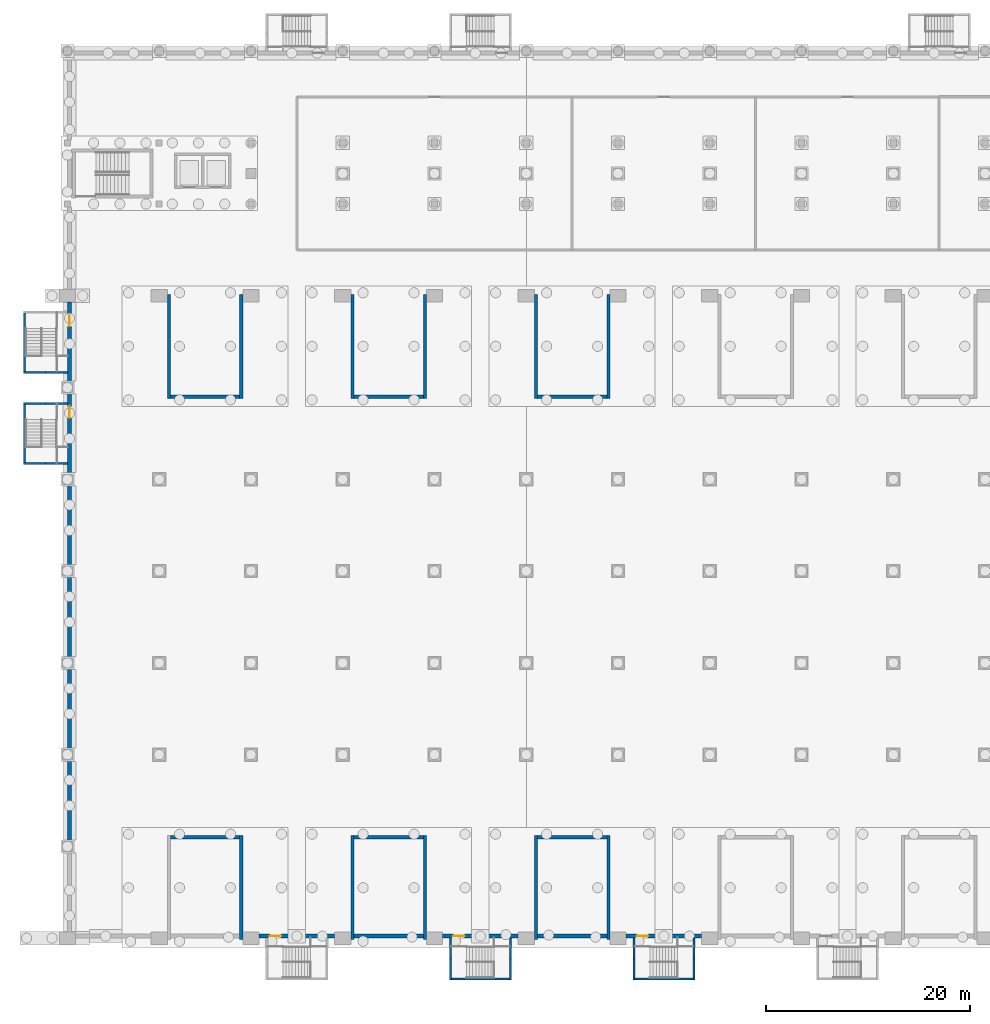
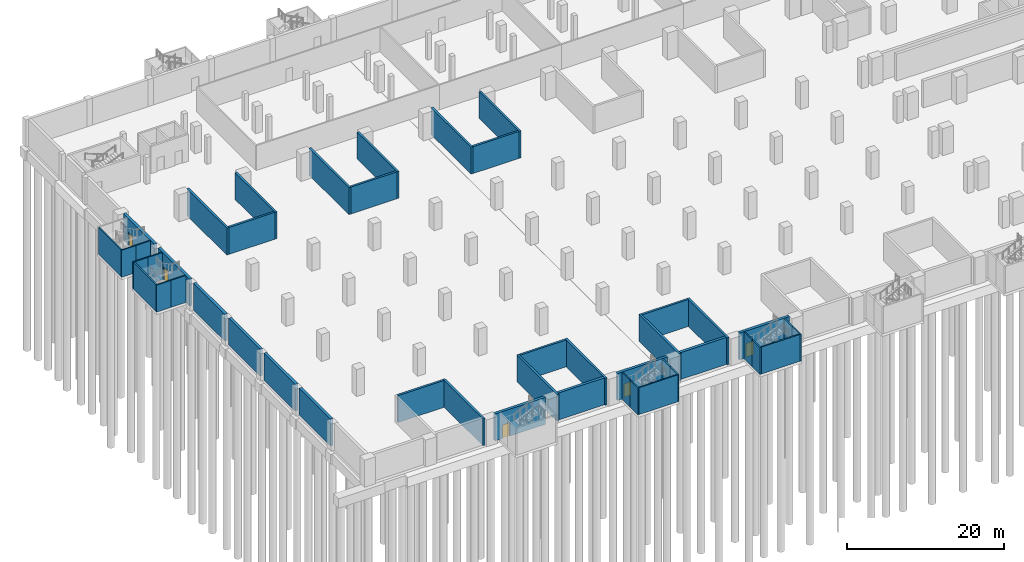
# One storey, part 10 of 29: 46 walls, 5 doors, 5 openings.
"""IFC4 building model written with IfcOpenShell, lengths in metres."""

from ifc_helpers import new_model, si_unit, direction, frame, frame_2d, origin, place, context, subcontext, project, spatial, rectangle, extrude, material, layer, layer_set, type_object, element, fill, save


model = new_model("IFC4")

# Units and contexts
model_context = context("Model", 3, precision=1e-05, world=origin(), true_north=direction((0.0, 1.0)))
body_context = subcontext(model_context, "Body", "Model", "MODEL_VIEW")
ifc_project = project(units=[si_unit("LENGTHUNIT", "METRE"), si_unit("AREAUNIT", "SQUARE_METRE"), si_unit("VOLUMEUNIT", "CUBIC_METRE"), si_unit("PLANEANGLEUNIT", "RADIAN"), si_unit("MASSUNIT", "GRAM", prefix="KILO")], contexts=[model_context])

# Site, building, storey
site_placement = place(None, origin())
site = spatial("IfcSite", under=ifc_project, at=site_placement, CompositionType="ELEMENT")
building_placement = place(site_placement, origin())
building = spatial("IfcBuilding", under=site, at=building_placement, Name="Aravalli Gate Trade Fair Centre", CompositionType="ELEMENT")
storey_placement = place(building_placement, frame((0.0, 0.0, -8.39990234375)))
storey = spatial("IfcBuildingStorey", under=building, at=storey_placement, Name="B2", CompositionType="ELEMENT", Elevation=-8.39990234375)

# Wall, opening, door
ifc_material_1 = material(Name="Concrete M40", Category="concrete")
ifc_layer_1 = layer(ifc_material_1, 0.39990234375)
ifc_layer_set_1 = layer_set([ifc_layer_1], Name="Concrete M40")
wall_type_1 = type_object("IfcWallType", Name="Basement retaining wall 400", PredefinedType="SOLIDWALL", material=ifc_layer_set_1)
wall_1_placement = place(storey_placement, frame((24.800048828125, 46.199951171875, 0.0), z_axis=(0.0, 0.0, 1.0), x_axis=(1.0, 0.0, 0.0)))
wall_1 = element("IfcWall", 1, at=wall_1_placement, inside=storey, type_object=wall_type_1, Name="Retaining wall S03 B2", PredefinedType="SOLIDWALL", context=body_context, shape_type="SweptSolid", body=[
    extrude(rectangle(XDim=7.39990234375, YDim=0.39990234375, at=frame_2d((3.699951171875, 0.0))), origin(), (0.0, 0.0, 1.0), 4.199951171875),
])
opening_1_placement = place(wall_1_placement, frame((1.050048828125, 0.0, 0.0)))
opening_1 = element("IfcOpeningElement", 2, at=opening_1_placement, cuts=wall_1, Name="Opening B-B2-07", PredefinedType="OPENING", context=body_context, shape_type="SweptSolid", body=[
    extrude(rectangle(XDim=1.10009765625, YDim=2.10009765625, at=frame_2d((0.550048828125, 1.050048828125))), frame((0.0, 0.2099609375, 0.0), z_axis=(0.0, -1.0, 0.0), x_axis=(1.0, 0.0, 0.0)), (0.0, 0.0, 1.0), 0.419921875),
])
ifc_material_2 = material(Name="Steel", Category="steel")
door_type = type_object("IfcDoorType", Name="Basement stair door 1100x2100", OperationType="SINGLE_SWING_LEFT", PredefinedType="DOOR", material=ifc_material_2)
door_1_placement = place(opening_1_placement, frame((1.10009765625, 0.0, 0.0), z_axis=(0.0, 0.0, 1.0), x_axis=(-1.0, 0.0, 0.0)))
door_1 = element("IfcDoor", 3, at=door_1_placement, inside=storey, type_object=door_type, Name="Basement stair S1 door B2", OperationType="SINGLE_SWING_RIGHT", OverallHeight=2.10009765625, OverallWidth=1.10009765625, PredefinedType="DOOR", context=body_context, shape_type="SweptSolid", body=[
    extrude(rectangle(XDim=1.10009765625, YDim=2.10009765625, at=frame_2d((0.550048828125, 1.050048828125))), frame((0.0, 0.02490234375, 0.0), z_axis=(0.0, -1.0, 0.0), x_axis=(1.0, 0.0, 0.0)), (0.0, 0.0, 1.0), 0.050048828125),
])
fill(opening_1, door_1)

# Wall
wall_2_placement = place(storey_placement, frame((34.10009765625, 46.199951171875, 0.0), z_axis=(0.0, 0.0, 1.0), x_axis=(1.0, 0.0, 0.0)))
element("IfcWall", 4, at=wall_2_placement, inside=storey, type_object=wall_type_1, Name="Retaining wall S04 B2", PredefinedType="SOLIDWALL", context=body_context, shape_type="SweptSolid", body=[
    extrude(rectangle(XDim=6.7998046875, YDim=0.39990234375, at=frame_2d((3.39990234375, 0.0))), origin(), (0.0, 0.0, 1.0), 4.199951171875),
])

# Wall, opening, door
wall_3_placement = place(storey_placement, frame((42.800048828125, 46.199951171875, 0.0), z_axis=(0.0, 0.0, 1.0), x_axis=(1.0, 0.0, 0.0)))
wall_3 = element("IfcWall", 5, at=wall_3_placement, inside=storey, type_object=wall_type_1, Name="Retaining wall S05 B2", PredefinedType="SOLIDWALL", context=body_context, shape_type="SweptSolid", body=[
    extrude(rectangle(XDim=7.39990234375, YDim=0.39990234375, at=frame_2d((3.699951171875, 0.0))), origin(), (0.0, 0.0, 1.0), 4.199951171875),
])
opening_2_placement = place(wall_3_placement, frame((1.050048828125, 0.0, 0.0)))
opening_2 = element("IfcOpeningElement", 6, at=opening_2_placement, cuts=wall_3, Name="Opening B-B2-08", PredefinedType="OPENING", context=body_context, shape_type="SweptSolid", body=[
    extrude(rectangle(XDim=1.10009765625, YDim=2.10009765625, at=frame_2d((0.550048828125, 1.050048828125))), frame((0.0, 0.2099609375, 0.0), z_axis=(0.0, -1.0, 0.0), x_axis=(1.0, 0.0, 0.0)), (0.0, 0.0, 1.0), 0.419921875),
])
door_2_placement = place(opening_2_placement, frame((1.10009765625, 0.0, 0.0), z_axis=(0.0, 0.0, 1.0), x_axis=(-1.0, 0.0, 0.0)))
door_2 = element("IfcDoor", 7, at=door_2_placement, inside=storey, type_object=door_type, Name="Basement stair S2 door B2", OperationType="SINGLE_SWING_RIGHT", OverallHeight=2.10009765625, OverallWidth=1.10009765625, PredefinedType="DOOR", context=body_context, shape_type="SweptSolid", body=[
    extrude(rectangle(XDim=1.10009765625, YDim=2.10009765625, at=frame_2d((0.550048828125, 1.050048828125))), frame((0.0, 0.02490234375, 0.0), z_axis=(0.0, -1.0, 0.0), x_axis=(1.0, 0.0, 0.0)), (0.0, 0.0, 1.0), 0.050048828125),
])
fill(opening_2, door_2)

# Wall
wall_4_placement = place(storey_placement, frame((52.10009765625, 46.199951171875, 0.0), z_axis=(0.0, 0.0, 1.0), x_axis=(1.0, 0.0, 0.0)))
element("IfcWall", 8, at=wall_4_placement, inside=storey, type_object=wall_type_1, Name="Retaining wall S06 B2", PredefinedType="SOLIDWALL", context=body_context, shape_type="SweptSolid", body=[
    extrude(rectangle(XDim=6.7998046875, YDim=0.39990234375, at=frame_2d((3.39990234375, 0.0))), origin(), (0.0, 0.0, 1.0), 4.199951171875),
])

# Wall, opening, door
wall_5_placement = place(storey_placement, frame((60.800048828125, 46.199951171875, 0.0), z_axis=(0.0, 0.0, 1.0), x_axis=(1.0, 0.0, 0.0)))
wall_5 = element("IfcWall", 9, at=wall_5_placement, inside=storey, type_object=wall_type_1, Name="Retaining wall S07 B2", PredefinedType="SOLIDWALL", context=body_context, shape_type="SweptSolid", body=[
    extrude(rectangle(XDim=7.39990234375, YDim=0.39990234375, at=frame_2d((3.699951171875, 0.0))), origin(), (0.0, 0.0, 1.0), 4.199951171875),
])
opening_3_placement = place(wall_5_placement, frame((1.050048828125, 0.0, 0.0)))
opening_3 = element("IfcOpeningElement", 10, at=opening_3_placement, cuts=wall_5, Name="Opening B-B2-09", PredefinedType="OPENING", context=body_context, shape_type="SweptSolid", body=[
    extrude(rectangle(XDim=1.10009765625, YDim=2.10009765625, at=frame_2d((0.550048828125, 1.050048828125))), frame((0.0, 0.2099609375, 0.0), z_axis=(0.0, -1.0, 0.0), x_axis=(1.0, 0.0, 0.0)), (0.0, 0.0, 1.0), 0.419921875),
])
door_3_placement = place(opening_3_placement, frame((1.10009765625, 0.0, 0.0), z_axis=(0.0, 0.0, 1.0), x_axis=(-1.0, 0.0, 0.0)))
door_3 = element("IfcDoor", 11, at=door_3_placement, inside=storey, type_object=door_type, Name="Basement stair S3 door B2", OperationType="SINGLE_SWING_RIGHT", OverallHeight=2.10009765625, OverallWidth=1.10009765625, PredefinedType="DOOR", context=body_context, shape_type="SweptSolid", body=[
    extrude(rectangle(XDim=1.10009765625, YDim=2.10009765625, at=frame_2d((0.550048828125, 1.050048828125))), frame((0.0, 0.02490234375, 0.0), z_axis=(0.0, -1.0, 0.0), x_axis=(1.0, 0.0, 0.0)), (0.0, 0.0, 1.0), 0.050048828125),
])
fill(opening_3, door_3)

# Walls
for number, where, z_axis, x_axis, name in (
    (12, (6.199951171875, 55.5, 0.0), (0.0, 0.0, 1.0), (0.0, 1.0, 0.0), "Retaining wall W02 B2"),
    (13, (6.199951171875, 64.5, 0.0), (0.0, 0.0, 1.0), (0.0, 1.0, 0.0), "Retaining wall W03 B2"),
    (14, (6.199951171875, 73.5, 0.0), (0.0, 0.0, 1.0), (0.0, 1.0, 0.0), "Retaining wall W04 B2"),
    (15, (6.199951171875, 82.5, 0.0), (0.0, 0.0, 1.0), (0.0, 1.0, 0.0), "Retaining wall W05 B2"),
):
    element("IfcWall", number, at=place(storey_placement, frame(where, z_axis=z_axis, x_axis=x_axis)), inside=storey, type_object=wall_type_1, Name=name, PredefinedType="SOLIDWALL", context=body_context, shape_type="SweptSolid", body=[
        extrude(rectangle(XDim=8.0, YDim=0.39990234375, at=frame_2d((4.0, 0.0))), origin(), (0.0, 0.0, 1.0), 4.199951171875),
    ])

# Wall, opening, door
wall_6_placement = place(storey_placement, frame((6.199951171875, 91.5, 0.0), z_axis=(0.0, 0.0, 1.0), x_axis=(0.0, 1.0, 0.0)))
wall_6 = element("IfcWall", 16, at=wall_6_placement, inside=storey, type_object=wall_type_1, Name="Retaining wall W06 B2", PredefinedType="SOLIDWALL", context=body_context, shape_type="SweptSolid", body=[
    extrude(rectangle(XDim=8.0, YDim=0.39990234375, at=frame_2d((4.0, 0.0))), origin(), (0.0, 0.0, 1.0), 4.199951171875),
])
opening_4_placement = place(wall_6_placement, frame((5.550048828125, 0.0, 0.0)))
opening_4 = element("IfcOpeningElement", 17, at=opening_4_placement, cuts=wall_6, Name="Opening B-B2-01", PredefinedType="OPENING", context=body_context, shape_type="SweptSolid", body=[
    extrude(rectangle(XDim=1.10009765625, YDim=2.10009765625, at=frame_2d((0.550048828125, 1.050048828125))), frame((0.0, 0.2099609375, 0.0), z_axis=(0.0, -1.0, 0.0), x_axis=(1.0, 0.0, 0.0)), (0.0, 0.0, 1.0), 0.419921875),
])
door_4_placement = place(opening_4_placement, origin())
door_4 = element("IfcDoor", 18, at=door_4_placement, inside=storey, type_object=door_type, Name="Basement stair W1 door B2", OperationType="SINGLE_SWING_RIGHT", OverallHeight=2.10009765625, OverallWidth=1.10009765625, PredefinedType="DOOR", context=body_context, shape_type="SweptSolid", body=[
    extrude(rectangle(XDim=1.10009765625, YDim=2.10009765625, at=frame_2d((0.550048828125, 1.050048828125))), frame((0.0, 0.02490234375, 0.0), z_axis=(0.0, -1.0, 0.0), x_axis=(1.0, 0.0, 0.0)), (0.0, 0.0, 1.0), 0.050048828125),
])
fill(opening_4, door_4)

wall_7_placement = place(storey_placement, frame((6.199951171875, 100.5, 0.0), z_axis=(0.0, 0.0, 1.0), x_axis=(0.0, 1.0, 0.0)))
wall_7 = element("IfcWall", 19, at=wall_7_placement, inside=storey, type_object=wall_type_1, Name="Retaining wall W07 B2", PredefinedType="SOLIDWALL", context=body_context, shape_type="SweptSolid", body=[
    extrude(rectangle(XDim=7.89990234375, YDim=0.39990234375, at=frame_2d((3.949951171875, 0.0))), origin(), (0.0, 0.0, 1.0), 4.199951171875),
])
opening_5_placement = place(wall_7_placement, frame((5.5, 0.0, 0.0)))
opening_5 = element("IfcOpeningElement", 20, at=opening_5_placement, cuts=wall_7, Name="Opening B-B2-02", PredefinedType="OPENING", context=body_context, shape_type="SweptSolid", body=[
    extrude(rectangle(XDim=1.10009765625, YDim=2.10009765625, at=frame_2d((0.550048828125, 1.050048828125))), frame((0.0, 0.2099609375, 0.0), z_axis=(0.0, -1.0, 0.0), x_axis=(1.0, 0.0, 0.0)), (0.0, 0.0, 1.0), 0.419921875),
])
door_5_placement = place(opening_5_placement, origin())
door_5 = element("IfcDoor", 21, at=door_5_placement, inside=storey, type_object=door_type, Name="Basement stair W2 door B2", OperationType="SINGLE_SWING_RIGHT", OverallHeight=2.10009765625, OverallWidth=1.10009765625, PredefinedType="DOOR", context=body_context, shape_type="SweptSolid", body=[
    extrude(rectangle(XDim=1.10009765625, YDim=2.10009765625, at=frame_2d((0.550048828125, 1.050048828125))), frame((0.0, 0.02490234375, 0.0), z_axis=(0.0, -1.0, 0.0), x_axis=(1.0, 0.0, 0.0)), (0.0, 0.0, 1.0), 0.050048828125),
])
fill(opening_5, door_5)

# Walls
ifc_material_3 = material(Name="Concrete M35", Category="concrete")
ifc_layer_2 = layer(ifc_material_3, 0.199951171875)
ifc_layer_set_2 = layer_set([ifc_layer_2], Name="Concrete M35")
wall_type_2 = type_object("IfcWallType", Name="Basement stair enclosure wall 200", PredefinedType="SOLIDWALL", material=ifc_layer_set_2)
wall_8_placement = place(storey_placement, frame((6.0, 98.449951171875, 0.0), z_axis=(0.0, 0.0, 1.0), x_axis=(-1.0, 0.0, 0.0)))
element("IfcWall", 22, at=wall_8_placement, inside=storey, type_object=wall_type_2, Name="Basement stair W1 enclosure wall L1 B2", PredefinedType="SOLIDWALL", context=body_context, shape_type="SweptSolid", body=[
    extrude(rectangle(XDim=2.14990234375, YDim=0.199951171875, at=frame_2d((1.074951171875, 0.0))), origin(), (0.0, 0.0, 1.0), 4.199951171875),
])
wall_9_placement = place(storey_placement, frame((3.85009765625, 98.449951171875, 0.0), z_axis=(0.0, 0.0, 1.0), x_axis=(-1.0, 0.0, 0.0)))
element("IfcWall", 23, at=wall_9_placement, inside=storey, type_object=wall_type_2, Name="Basement stair W1 enclosure wall L2 B2", PredefinedType="SOLIDWALL", context=body_context, shape_type="SweptSolid", body=[
    extrude(rectangle(XDim=2.150146484375, YDim=0.199951171875, at=frame_2d((1.0751953125, 0.0))), origin(), (0.0, 0.0, 1.0), 4.199951171875),
])
wall_10_placement = place(storey_placement, frame((6.0, 92.550048828125, 0.0), z_axis=(0.0, 0.0, 1.0), x_axis=(-1.0, 0.0, 0.0)))
element("IfcWall", 24, at=wall_10_placement, inside=storey, type_object=wall_type_2, Name="Basement stair W1 enclosure wall R1 B2", PredefinedType="SOLIDWALL", context=body_context, shape_type="SweptSolid", body=[
    extrude(rectangle(XDim=2.14990234375, YDim=0.199951171875, at=frame_2d((1.074951171875, 0.0))), origin(), (0.0, 0.0, 1.0), 4.199951171875),
])
wall_11_placement = place(storey_placement, frame((3.85009765625, 92.550048828125, 0.0), z_axis=(0.0, 0.0, 1.0), x_axis=(-1.0, 0.0, 0.0)))
element("IfcWall", 25, at=wall_11_placement, inside=storey, type_object=wall_type_2, Name="Basement stair W1 enclosure wall R2 B2", PredefinedType="SOLIDWALL", context=body_context, shape_type="SweptSolid", body=[
    extrude(rectangle(XDim=2.150146484375, YDim=0.199951171875, at=frame_2d((1.0751953125, 0.0))), origin(), (0.0, 0.0, 1.0), 4.199951171875),
])
wall_12_placement = place(storey_placement, frame((1.800048828125, 98.35009765625, 0.0), z_axis=(0.0, 0.0, 1.0), x_axis=(0.0, -1.0, 0.0)))
element("IfcWall", 26, at=wall_12_placement, inside=storey, type_object=wall_type_2, Name="Basement stair W1 enclosure wall O B2", PredefinedType="SOLIDWALL", context=body_context, shape_type="SweptSolid", body=[
    extrude(rectangle(XDim=5.7001953125, YDim=0.199951171875, at=frame_2d((2.85009765625, 0.0))), origin(), (0.0, 0.0, 1.0), 4.199951171875),
])
wall_13_placement = place(storey_placement, frame((6.0, 101.5, 0.0), z_axis=(0.0, 0.0, 1.0), x_axis=(-1.0, 0.0, 0.0)))
element("IfcWall", 27, at=wall_13_placement, inside=storey, type_object=wall_type_2, Name="Basement stair W2 enclosure wall R1 B2", PredefinedType="SOLIDWALL", context=body_context, shape_type="SweptSolid", body=[
    extrude(rectangle(XDim=2.14990234375, YDim=0.199951171875, at=frame_2d((1.074951171875, 0.0))), origin(), (0.0, 0.0, 1.0), 4.199951171875),
])
wall_14_placement = place(storey_placement, frame((3.85009765625, 101.5, 0.0), z_axis=(0.0, 0.0, 1.0), x_axis=(-1.0, 0.0, 0.0)))
element("IfcWall", 28, at=wall_14_placement, inside=storey, type_object=wall_type_2, Name="Basement stair W2 enclosure wall R2 B2", PredefinedType="SOLIDWALL", context=body_context, shape_type="SweptSolid", body=[
    extrude(rectangle(XDim=2.150146484375, YDim=0.199951171875, at=frame_2d((1.0751953125, 0.0))), origin(), (0.0, 0.0, 1.0), 4.199951171875),
])
wall_15_placement = place(storey_placement, frame((1.800048828125, 107.300048828125, 0.0), z_axis=(0.0, 0.0, 1.0), x_axis=(0.0, -1.0, 0.0)))
element("IfcWall", 29, at=wall_15_placement, inside=storey, type_object=wall_type_2, Name="Basement stair W2 enclosure wall O B2", PredefinedType="SOLIDWALL", context=body_context, shape_type="SweptSolid", body=[
    extrude(rectangle(XDim=5.699951171875, YDim=0.199951171875, at=frame_2d((2.85009765625, 0.0))), origin(), (0.0, 0.0, 1.0), 4.199951171875),
])
for number, where, z_axis, x_axis, name in (
    (30, (43.550048828125, 46.0, 0.0), (0.0, 0.0, 1.0), (0.0, -1.0, 0.0), "Basement stair S2 enclosure wall L1 B2"),
    (31, (43.550048828125, 43.949951171875, 0.0), (0.0, 0.0, 1.0), (0.0, -1.0, 0.0), "Basement stair S2 enclosure wall L2 B2"),
    (32, (49.449951171875, 46.0, 0.0), (0.0, 0.0, 1.0), (0.0, -1.0, 0.0), "Basement stair S2 enclosure wall R1 B2"),
    (33, (49.449951171875, 43.949951171875, 0.0), (0.0, 0.0, 1.0), (0.0, -1.0, 0.0), "Basement stair S2 enclosure wall R2 B2"),
):
    element("IfcWall", number, at=place(storey_placement, frame(where, z_axis=z_axis, x_axis=x_axis)), inside=storey, type_object=wall_type_2, Name=name, PredefinedType="SOLIDWALL", context=body_context, shape_type="SweptSolid", body=[
        extrude(rectangle(XDim=2.050048828125, YDim=0.199951171875, at=frame_2d((1.02490234375, 0.0))), origin(), (0.0, 0.0, 1.0), 4.199951171875),
    ])
wall_16_placement = place(storey_placement, frame((43.64990234375, 42.0, 0.0), z_axis=(0.0, 0.0, 1.0), x_axis=(1.0, 0.0, 0.0)))
element("IfcWall", 34, at=wall_16_placement, inside=storey, type_object=wall_type_2, Name="Basement stair S2 enclosure wall O B2", PredefinedType="SOLIDWALL", context=body_context, shape_type="SweptSolid", body=[
    extrude(rectangle(XDim=5.7001953125, YDim=0.199951171875, at=frame_2d((2.85009765625, 0.0))), origin(), (0.0, 0.0, 1.0), 4.199951171875),
])
for number, where, z_axis, x_axis, name in (
    (35, (61.550048828125, 46.0, 0.0), (0.0, 0.0, 1.0), (0.0, -1.0, 0.0), "Basement stair S3 enclosure wall L1 B2"),
    (36, (61.550048828125, 43.949951171875, 0.0), (0.0, 0.0, 1.0), (0.0, -1.0, 0.0), "Basement stair S3 enclosure wall L2 B2"),
    (37, (67.449951171875, 46.0, 0.0), (0.0, 0.0, 1.0), (0.0, -1.0, 0.0), "Basement stair S3 enclosure wall R1 B2"),
    (38, (67.449951171875, 43.949951171875, 0.0), (0.0, 0.0, 1.0), (0.0, -1.0, 0.0), "Basement stair S3 enclosure wall R2 B2"),
):
    element("IfcWall", number, at=place(storey_placement, frame(where, z_axis=z_axis, x_axis=x_axis)), inside=storey, type_object=wall_type_2, Name=name, PredefinedType="SOLIDWALL", context=body_context, shape_type="SweptSolid", body=[
        extrude(rectangle(XDim=2.050048828125, YDim=0.199951171875, at=frame_2d((1.02490234375, 0.0))), origin(), (0.0, 0.0, 1.0), 4.199951171875),
    ])
wall_17_placement = place(storey_placement, frame((61.64990234375, 42.0, 0.0), z_axis=(0.0, 0.0, 1.0), x_axis=(1.0, 0.0, 0.0)))
element("IfcWall", 39, at=wall_17_placement, inside=storey, type_object=wall_type_2, Name="Basement stair S3 enclosure wall O B2", PredefinedType="SOLIDWALL", context=body_context, shape_type="SweptSolid", body=[
    extrude(rectangle(XDim=5.7001953125, YDim=0.199951171875, at=frame_2d((2.85009765625, 0.0))), origin(), (0.0, 0.0, 1.0), 4.199951171875),
])
ifc_layer_3 = layer(ifc_material_1, 0.300048828125)
ifc_layer_set_3 = layer_set([ifc_layer_3], Name="Concrete M40")
wall_type_3 = type_object("IfcWallType", Name="Stair tower wall RC 300", PredefinedType="SHEAR", material=ifc_layer_set_3)
wall_18_placement = place(storey_placement, frame((23.050048828125, 45.85009765625, 0.0), z_axis=(0.0, 0.0, 1.0), x_axis=(0.0, 1.0, 0.0)))
element("IfcWall", 40, at=wall_18_placement, inside=storey, type_object=wall_type_3, Name="Stair tower S02 wall E B2", PredefinedType="SHEAR", context=body_context, shape_type="SweptSolid", body=[
    extrude(rectangle(XDim=10.199951171875, YDim=0.300048828125, at=frame_2d((5.10009765625, 0.0))), origin(), (0.0, 0.0, 1.0), 4.199951171875),
])
wall_19_placement = place(storey_placement, frame((16.10009765625, 55.89990234375, 0.0), z_axis=(0.0, 0.0, 1.0), x_axis=(1.0, 0.0, 0.0)))
element("IfcWall", 41, at=wall_19_placement, inside=storey, type_object=wall_type_3, Name="Stair tower S02 wall F B2", PredefinedType="SHEAR", context=body_context, shape_type="SweptSolid", body=[
    extrude(rectangle(XDim=6.7998046875, YDim=0.300048828125, at=frame_2d((3.39990234375, 0.0))), origin(), (0.0, 0.0, 1.0), 4.199951171875),
])
for number, where, z_axis, x_axis, name in (
    (42, (33.949951171875, 45.85009765625, 0.0), (0.0, 0.0, 1.0), (0.0, 1.0, 0.0), "Stair tower S04 wall W B2"),
    (43, (41.050048828125, 45.85009765625, 0.0), (0.0, 0.0, 1.0), (0.0, 1.0, 0.0), "Stair tower S04 wall E B2"),
):
    element("IfcWall", number, at=place(storey_placement, frame(where, z_axis=z_axis, x_axis=x_axis)), inside=storey, type_object=wall_type_3, Name=name, PredefinedType="SHEAR", context=body_context, shape_type="SweptSolid", body=[
        extrude(rectangle(XDim=10.199951171875, YDim=0.300048828125, at=frame_2d((5.10009765625, 0.0))), origin(), (0.0, 0.0, 1.0), 4.199951171875),
    ])
wall_20_placement = place(storey_placement, frame((34.10009765625, 55.89990234375, 0.0), z_axis=(0.0, 0.0, 1.0), x_axis=(1.0, 0.0, 0.0)))
element("IfcWall", 44, at=wall_20_placement, inside=storey, type_object=wall_type_3, Name="Stair tower S04 wall F B2", PredefinedType="SHEAR", context=body_context, shape_type="SweptSolid", body=[
    extrude(rectangle(XDim=6.7998046875, YDim=0.300048828125, at=frame_2d((3.39990234375, 0.0))), origin(), (0.0, 0.0, 1.0), 4.199951171875),
])
for number, where, z_axis, x_axis, name in (
    (45, (51.949951171875, 45.85009765625, 0.0), (0.0, 0.0, 1.0), (0.0, 1.0, 0.0), "Stair tower S06 wall W B2"),
    (46, (59.050048828125, 45.85009765625, 0.0), (0.0, 0.0, 1.0), (0.0, 1.0, 0.0), "Stair tower S06 wall E B2"),
):
    element("IfcWall", number, at=place(storey_placement, frame(where, z_axis=z_axis, x_axis=x_axis)), inside=storey, type_object=wall_type_3, Name=name, PredefinedType="SHEAR", context=body_context, shape_type="SweptSolid", body=[
        extrude(rectangle(XDim=10.199951171875, YDim=0.300048828125, at=frame_2d((5.10009765625, 0.0))), origin(), (0.0, 0.0, 1.0), 4.199951171875),
    ])
wall_21_placement = place(storey_placement, frame((52.10009765625, 55.89990234375, 0.0), z_axis=(0.0, 0.0, 1.0), x_axis=(1.0, 0.0, 0.0)))
element("IfcWall", 47, at=wall_21_placement, inside=storey, type_object=wall_type_3, Name="Stair tower S06 wall F B2", PredefinedType="SHEAR", context=body_context, shape_type="SweptSolid", body=[
    extrude(rectangle(XDim=6.7998046875, YDim=0.300048828125, at=frame_2d((3.39990234375, 0.0))), origin(), (0.0, 0.0, 1.0), 4.199951171875),
])
for number, where, z_axis, x_axis, name in (
    (48, (15.949951171875, 109.14990234375, 0.0), (0.0, 0.0, 1.0), (0.0, -1.0, 0.0), "Stair tower N02 wall W B2"),
    (49, (23.050048828125, 109.14990234375, 0.0), (0.0, 0.0, 1.0), (0.0, -1.0, 0.0), "Stair tower N02 wall E B2"),
):
    element("IfcWall", number, at=place(storey_placement, frame(where, z_axis=z_axis, x_axis=x_axis)), inside=storey, type_object=wall_type_3, Name=name, PredefinedType="SHEAR", context=body_context, shape_type="SweptSolid", body=[
        extrude(rectangle(XDim=10.199951171875, YDim=0.300048828125, at=frame_2d((5.10009765625, 0.0))), origin(), (0.0, 0.0, 1.0), 4.199951171875),
    ])
wall_22_placement = place(storey_placement, frame((16.10009765625, 99.10009765625, 0.0), z_axis=(0.0, 0.0, 1.0), x_axis=(1.0, 0.0, 0.0)))
element("IfcWall", 50, at=wall_22_placement, inside=storey, type_object=wall_type_3, Name="Stair tower N02 wall F B2", PredefinedType="SHEAR", context=body_context, shape_type="SweptSolid", body=[
    extrude(rectangle(XDim=6.7998046875, YDim=0.300048828125, at=frame_2d((3.39990234375, 0.0))), origin(), (0.0, 0.0, 1.0), 4.199951171875),
])
for number, where, z_axis, x_axis, name in (
    (51, (33.949951171875, 109.14990234375, 0.0), (0.0, 0.0, 1.0), (0.0, -1.0, 0.0), "Stair tower N04 wall W B2"),
    (52, (41.050048828125, 109.14990234375, 0.0), (0.0, 0.0, 1.0), (0.0, -1.0, 0.0), "Stair tower N04 wall E B2"),
):
    element("IfcWall", number, at=place(storey_placement, frame(where, z_axis=z_axis, x_axis=x_axis)), inside=storey, type_object=wall_type_3, Name=name, PredefinedType="SHEAR", context=body_context, shape_type="SweptSolid", body=[
        extrude(rectangle(XDim=10.199951171875, YDim=0.300048828125, at=frame_2d((5.10009765625, 0.0))), origin(), (0.0, 0.0, 1.0), 4.199951171875),
    ])
wall_23_placement = place(storey_placement, frame((34.10009765625, 99.10009765625, 0.0), z_axis=(0.0, 0.0, 1.0), x_axis=(1.0, 0.0, 0.0)))
element("IfcWall", 53, at=wall_23_placement, inside=storey, type_object=wall_type_3, Name="Stair tower N04 wall F B2", PredefinedType="SHEAR", context=body_context, shape_type="SweptSolid", body=[
    extrude(rectangle(XDim=6.7998046875, YDim=0.300048828125, at=frame_2d((3.39990234375, 0.0))), origin(), (0.0, 0.0, 1.0), 4.199951171875),
])
for number, where, z_axis, x_axis, name in (
    (54, (51.949951171875, 109.14990234375, 0.0), (0.0, 0.0, 1.0), (0.0, -1.0, 0.0), "Stair tower N06 wall W B2"),
    (55, (59.050048828125, 109.14990234375, 0.0), (0.0, 0.0, 1.0), (0.0, -1.0, 0.0), "Stair tower N06 wall E B2"),
):
    element("IfcWall", number, at=place(storey_placement, frame(where, z_axis=z_axis, x_axis=x_axis)), inside=storey, type_object=wall_type_3, Name=name, PredefinedType="SHEAR", context=body_context, shape_type="SweptSolid", body=[
        extrude(rectangle(XDim=10.199951171875, YDim=0.300048828125, at=frame_2d((5.10009765625, 0.0))), origin(), (0.0, 0.0, 1.0), 4.199951171875),
    ])
wall_24_placement = place(storey_placement, frame((52.10009765625, 99.10009765625, 0.0), z_axis=(0.0, 0.0, 1.0), x_axis=(1.0, 0.0, 0.0)))
element("IfcWall", 56, at=wall_24_placement, inside=storey, type_object=wall_type_3, Name="Stair tower N06 wall F B2", PredefinedType="SHEAR", context=body_context, shape_type="SweptSolid", body=[
    extrude(rectangle(XDim=6.7998046875, YDim=0.300048828125, at=frame_2d((3.39990234375, 0.0))), origin(), (0.0, 0.0, 1.0), 4.199951171875),
])

save(model, "model.ifc")
